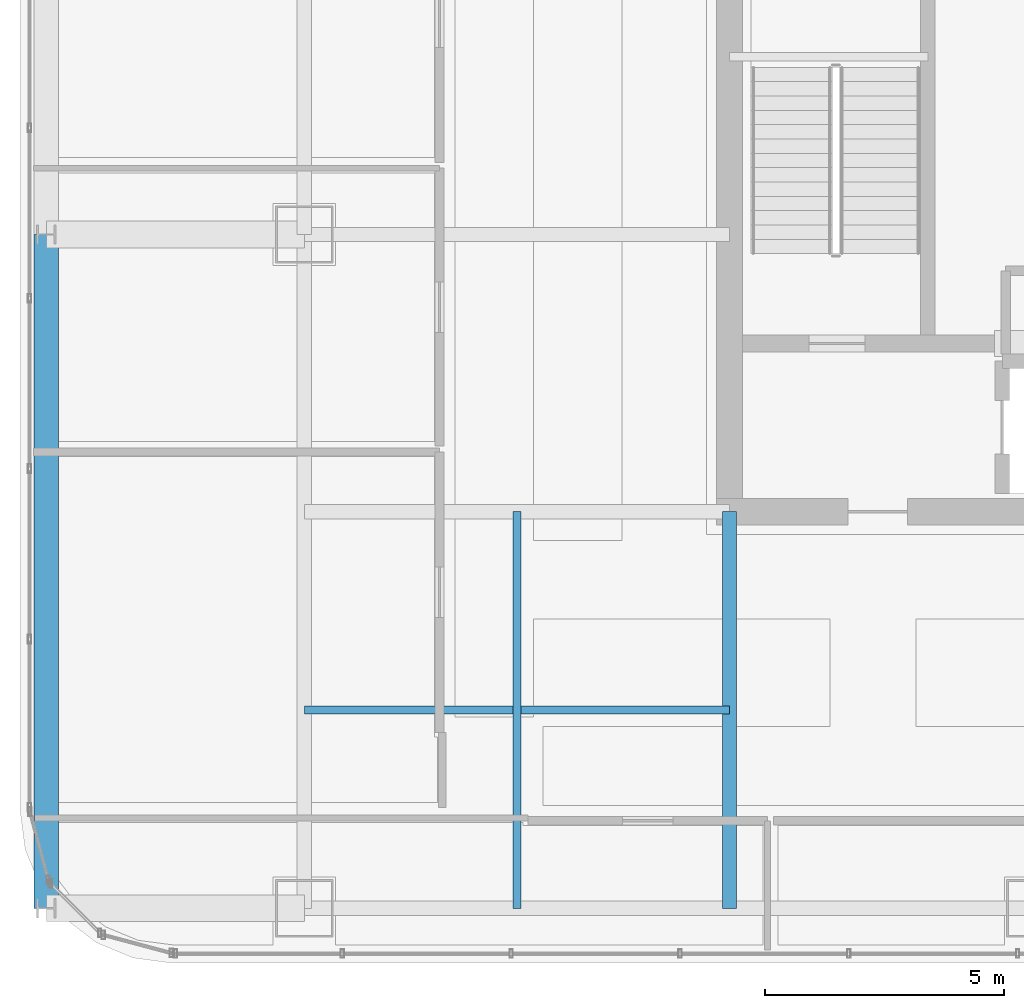
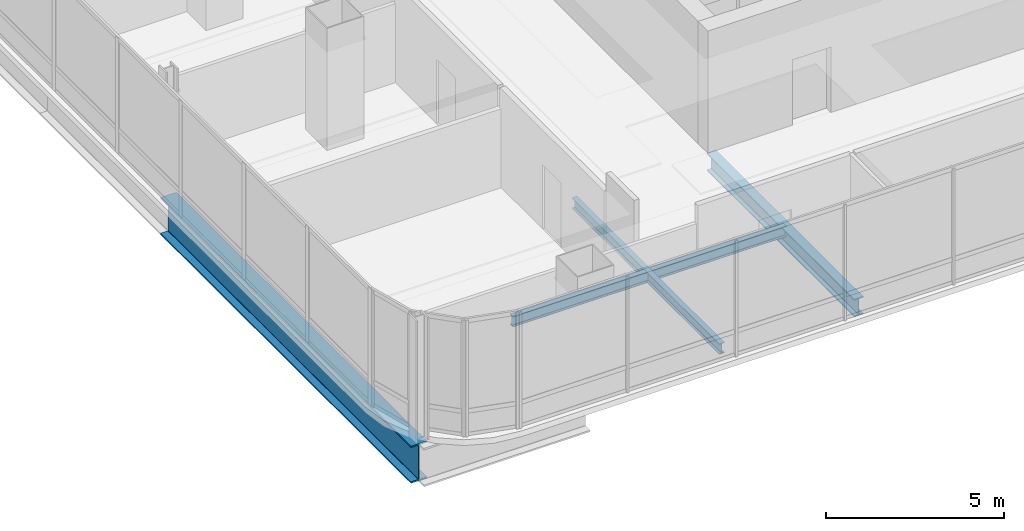
# One storey, part 4 of 42: 4 beams.
"""IFC4 building model written with IfcOpenShell, lengths in metres."""

import ifcopenshell
import ifcopenshell.guid

model = None  # the IFC model being written
_history = None  # IfcOwnerHistory: only IFC2X3 demands one
_inside = {}  # id of a spatial element -> (the spatial element, [elements in it])
_under = {}  # id of a project, library or spatial element -> (it, [spatial elements below it])
_declared = {}  # id of a project -> (the project, [libraries it declares])
_typed = {}  # id of a type object -> (the type object, [elements of that type])
_made_of = {}  # id of a material, layer set ... -> (it, [elements and type objects made of it])


def new_model(schema):
    """Start an empty IFC model of exactly this schema.

    Asked for "IFC4X3", IfcOpenShell would pick the latest addendum, in which some entities
    have other attributes; the version numbers below select the first issue.
    IFC2X3 requires an IfcOwnerHistory on every rooted entity: one is made here for all.
    """
    global model, _history
    if schema == "IFC4X3":
        model = ifcopenshell.file(schema_version=(4, 3, 0, 0))
    else:
        model = ifcopenshell.file(schema=schema)
    _inside.clear()
    _under.clear()
    _declared.clear()
    _typed.clear()
    _made_of.clear()
    _history = None
    if model.schema == "IFC2X3":
        org = make("IfcOrganization", Name="unknown")
        user = make(
            "IfcPersonAndOrganization",
            ThePerson=make("IfcPerson", FamilyName="unknown"),
            TheOrganization=org,
        )
        app = make(
            "IfcApplication",
            ApplicationDeveloper=org,
            Version="unknown",
            ApplicationFullName="unknown",
            ApplicationIdentifier="unknown",
        )
        _history = make(
            "IfcOwnerHistory",
            OwningUser=user,
            OwningApplication=app,
            ChangeAction="ADDED",
            CreationDate=0,
        )
    return model


def make(cls, **values):
    """One entity of the class cls with the attributes given. An attribute that is None is left unset."""
    return model.create_entity(
        cls, **{name: value for name, value in values.items() if value is not None}
    )


def rooted(cls, **values):
    """An entity with a GlobalId (a new one), such as an element, a storey or a relation."""
    return make(cls, GlobalId=ifcopenshell.guid.new(), OwnerHistory=_history, **values)


def si_unit(unit_type, name, prefix=None):
    """IfcSIUnit, for example si_unit("LENGTHUNIT", "METRE", prefix="MILLI")."""
    return make("IfcSIUnit", UnitType=unit_type, Prefix=prefix, Name=name)


def assignment(units):
    """IfcUnitAssignment: the units of a project."""
    return None if units is None else make("IfcUnitAssignment", Units=units)


def point(xyz):
    """IfcCartesianPoint."""
    return None if xyz is None else make("IfcCartesianPoint", Coordinates=xyz)


def direction(xyz):
    """IfcDirection."""
    return None if xyz is None else make("IfcDirection", DirectionRatios=xyz)


def frame(location, z_axis=None, x_axis=None):
    """IfcAxis2Placement3D, a coordinate frame: its origin and axes. An axis left out is left unset."""
    return make(
        "IfcAxis2Placement3D",
        Location=point(location),
        Axis=direction(z_axis),
        RefDirection=direction(x_axis),
    )


def frame_2d(location, x_axis=None):
    """IfcAxis2Placement2D, a coordinate frame in the plane: its origin and x axis."""
    return make(
        "IfcAxis2Placement2D", Location=point(location), RefDirection=direction(x_axis)
    )


def origin():
    """The frame at (0, 0, 0) with its axes left unset."""
    return frame((0.0, 0.0, 0.0))


def origin_2d():
    """The frame at (0, 0) in the plane with its x axis left unset."""
    return frame_2d((0.0, 0.0))


def place(relative_to, where):
    """IfcLocalPlacement: puts the frame where relative to a parent placement (None: the world)."""
    return make(
        "IfcLocalPlacement", PlacementRelTo=relative_to, RelativePlacement=where
    )


def context(
    kind, dimensions, precision=None, world=None, true_north=None, identifier=None
):
    """IfcGeometricRepresentationContext, for example the 3D "Model" context."""
    return make(
        "IfcGeometricRepresentationContext",
        ContextIdentifier=identifier,
        ContextType=kind,
        CoordinateSpaceDimension=dimensions,
        Precision=precision,
        WorldCoordinateSystem=world,
        TrueNorth=true_north,
    )


def subcontext(parent, identifier, kind, view, scale=None):
    """IfcGeometricRepresentationSubContext, for example "Body" below "Model"."""
    return make(
        "IfcGeometricRepresentationSubContext",
        ContextIdentifier=identifier,
        ContextType=kind,
        ParentContext=parent,
        TargetScale=scale,
        TargetView=view,
    )


def project(units=None, contexts=None):
    """IfcProject with its units and contexts."""
    return rooted(
        "IfcProject",
        Name="project",
        RepresentationContexts=contexts,
        UnitsInContext=assignment(units),
    )


def spatial(cls, under=None, at=None, **own):
    """A site, building, storey or space (cls), placed at a placement, below another one or the project."""
    s = rooted(cls, ObjectPlacement=at, **own)
    if under is not None:
        _under.setdefault(under.id(), (under, []))[1].append(s)
    return s


def profile(cls, at=None, kind="AREA", **sizes):
    """A parametric profile (cls). Its sizes go by their IFC names, for example OverallWidth=200.0."""
    return make(cls, ProfileType=kind, Position=at, **sizes)


def i_section(**sizes):
    """IfcIShapeProfileDef."""
    return profile("IfcIShapeProfileDef", **sizes)


def extrude(swept, where, along, depth):
    """IfcExtrudedAreaSolid: the profile swept, set in the frame where, extruded along a direction by depth."""
    return make(
        "IfcExtrudedAreaSolid",
        SweptArea=swept,
        Position=where,
        ExtrudedDirection=direction(along),
        Depth=depth,
    )


def shape(context_of_items, identifier, shape_type, items):
    """IfcShapeRepresentation: the items that make up one representation, for example the "Body"."""
    return make(
        "IfcShapeRepresentation",
        ContextOfItems=context_of_items,
        RepresentationIdentifier=identifier,
        RepresentationType=shape_type,
        Items=items,
    )


def material(Name=None, Category=None):
    """IfcMaterial."""
    return make("IfcMaterial", Name=Name, Category=Category)


def material_profile(
    of_material, cross_section, Name=None, Category=None, Priority=None
):
    """IfcMaterialProfile: a cross section and its material."""
    return make(
        "IfcMaterialProfile",
        Name=Name,
        Material=of_material,
        Profile=cross_section,
        Priority=Priority,
        Category=Category,
    )


def profile_set(profiles, Name=None, composite=None):
    """IfcMaterialProfileSet."""
    return make(
        "IfcMaterialProfileSet",
        Name=Name,
        MaterialProfiles=profiles,
        CompositeProfile=composite,
    )


def made_of(thing, what):
    """Note that an element or type object is made of a material, layer set ...; save() writes the relation."""
    if what is not None:
        _made_of.setdefault(what.id(), (what, []))[1].append(thing)
    return thing


def type_object(cls, material=None, **own):
    """A type object (cls), such as IfcWallType, which elements share."""
    return made_of(rooted(cls, **own), material)


def element(
    cls,
    number,
    at=None,
    inside=None,
    cuts=None,
    type_object=None,
    material=None,
    context=None,
    identifier="Body",
    shape_type=None,
    held_by="IfcProductDefinitionShape",
    body=None,
    shapes=None,
    **own,
):
    """One element of the class cls, such as IfcWall. Its Tag is "e" and its number.

    at: its placement. inside: the storey or other place that contains it. cuts: it is an
    opening in that element (IfcRelVoidsElement). A single representation is given by context,
    identifier, shape_type and body (its items); several are given by shapes. held_by: the class
    of the entity that holds the representations. save() writes the other relations.
    """
    e = rooted(cls, Tag="e%d" % number, ObjectPlacement=at, **own)
    if body is not None:
        shapes = [shape(context, identifier, shape_type, body)]
    if shapes is not None:
        e.Representation = make(held_by, Representations=shapes)
    if inside is not None:
        _inside.setdefault(inside.id(), (inside, []))[1].append(e)
    if cuts is not None:
        rooted(
            "IfcRelVoidsElement", RelatingBuildingElement=cuts, RelatedOpeningElement=e
        )
    if type_object is not None:
        _typed.setdefault(type_object.id(), (type_object, []))[1].append(e)
    return made_of(e, material)


def aggregate(whole, parts):
    """IfcRelAggregates: a whole, such as a stair, and the parts it consists of."""
    return rooted("IfcRelAggregates", RelatingObject=whole, RelatedObjects=parts)


def save(model, path):
    """Write the relations noted so far, then the file.

    IfcRelAggregates (storeys below a building ...), IfcRelContainedInSpatialStructure (elements
    in a storey), IfcRelDefinesByType, IfcRelAssociatesMaterial and IfcRelDeclares: one each for
    every whole, place, type object, material and project.
    """
    for whole, parts in _under.values():
        aggregate(whole, parts)
    for where, things in _inside.values():
        rooted(
            "IfcRelContainedInSpatialStructure",
            RelatedElements=things,
            RelatingStructure=where,
        )
    for kind, things in _typed.values():
        rooted("IfcRelDefinesByType", RelatedObjects=things, RelatingType=kind)
    for what, things in _made_of.values():
        rooted("IfcRelAssociatesMaterial", RelatedObjects=things, RelatingMaterial=what)
    for by, libraries in _declared.values():
        rooted("IfcRelDeclares", RelatingContext=by, RelatedDefinitions=libraries)
    model.write(path)


model = new_model("IFC4")

# Units and contexts
model_context = context("Model", 3, precision=1e-05, world=origin(), true_north=direction((0.0, 1.0)))
body_context = subcontext(model_context, "Body", "Model", "MODEL_VIEW")
ifc_project = project(units=[si_unit("LENGTHUNIT", "METRE"), si_unit("AREAUNIT", "SQUARE_METRE"), si_unit("VOLUMEUNIT", "CUBIC_METRE"), si_unit("PLANEANGLEUNIT", "RADIAN"), si_unit("MASSUNIT", "GRAM", prefix="KILO")], contexts=[model_context])

# Site, building, storey
site_placement = place(None, origin())
site = spatial("IfcSite", under=ifc_project, at=site_placement, CompositionType="ELEMENT")
building_placement = place(site_placement, origin())
building = spatial("IfcBuilding", under=site, at=building_placement, Name="Punatoya Terracotta Tower", CompositionType="ELEMENT")
storey_placement = place(building_placement, frame((0.0, 0.0, 296.39990234375)))
storey = spatial("IfcBuildingStorey", under=building, at=storey_placement, Name="L70", CompositionType="ELEMENT", Elevation=296.39990234375)

# Beams
ifc_material_1 = material(Name="Steel S355", Category="steel")
ifc_material_profile_1 = material_profile(ifc_material_1, i_section(OverallWidth=0.300048828125, OverallDepth=0.60009765625, WebThickness=0.015380859375, FlangeThickness=0.030029296875, FilletRadius=0.01806640625, at=origin_2d()))
ifc_profile_set_1 = profile_set([ifc_material_profile_1], Name="Steel S355")
beam_type_1 = type_object("IfcBeamType", Name="BM-PRI-600", PredefinedType="BEAM", material=ifc_profile_set_1)
beam_1_placement = place(storey_placement, frame((-10.199951171875, -17.5, -0.5), z_axis=(0.0, 1.0, 0.0), x_axis=(-1.0, 0.0, 0.0)))
element("IfcBeam", 1, at=beam_1_placement, inside=storey, type_object=beam_type_1, Name="BM-L70-PR-S1", PredefinedType="BEAM", context=body_context, shape_type="SweptSolid", body=[
    extrude(i_section(OverallWidth=0.300048828125, OverallDepth=0.60009765625, WebThickness=0.015380859375, FlangeThickness=0.030029296875, FilletRadius=0.01806640625, at=origin_2d()), origin(), (0.0, 0.0, 1.0), 8.300048828125),
])
ifc_material_profile_2 = material_profile(ifc_material_1, i_section(OverallWidth=0.169921875, OverallDepth=0.360107421875, WebThickness=0.008056640625, FlangeThickness=0.0126953125, FilletRadius=0.01806640625, at=origin_2d()))
ifc_profile_set_2 = profile_set([ifc_material_profile_2], Name="Steel S355")
beam_type_2 = type_object("IfcBeamType", Name="BM-SEC-360", PredefinedType="JOIST", material=ifc_profile_set_2)
beam_2_placement = place(storey_placement, frame((-19.10009765625, -13.35009765625, -0.3798828125), z_axis=(1.0, 0.0, 0.0), x_axis=(0.0, 1.0, 0.0)))
element("IfcBeam", 2, at=beam_2_placement, inside=storey, type_object=beam_type_2, Name="BM-L70-SJS-1", PredefinedType="JOIST", context=body_context, shape_type="SweptSolid", body=[
    extrude(i_section(OverallWidth=0.169921875, OverallDepth=0.360107421875, WebThickness=0.008056640625, FlangeThickness=0.0126953125, FilletRadius=0.01806640625, at=origin_2d()), origin(), (0.0, 0.0, 1.0), 8.900146484375),
])
beam_3_placement = place(storey_placement, frame((-14.64990234375, -17.5, -0.3798828125), z_axis=(0.0, 1.0, 0.0), x_axis=(-1.0, 0.0, 0.0)))
element("IfcBeam", 3, at=beam_3_placement, inside=storey, type_object=beam_type_2, Name="BM-L70-SJW-1", PredefinedType="JOIST", context=body_context, shape_type="SweptSolid", body=[
    extrude(i_section(OverallWidth=0.169921875, OverallDepth=0.360107421875, WebThickness=0.008056640625, FlangeThickness=0.0126953125, FilletRadius=0.01806640625, at=origin_2d()), origin(), (0.0, 0.0, 1.0), 8.300048828125),
])
ifc_material_2 = material(Name="Steel S460", Category="steel")
ifc_material_profile_3 = material_profile(ifc_material_2, i_section(OverallWidth=0.52001953125, OverallDepth=1.280029296875, WebThickness=0.031982421875, FlangeThickness=0.050048828125, FilletRadius=0.01806640625, at=origin_2d()))
ifc_profile_set_3 = profile_set([ifc_material_profile_3], Name="Steel S460")
beam_type_3 = type_object("IfcBeamType", Name="BM-TG-NCK", PredefinedType="BEAM", material=ifc_profile_set_3)
beam_4_placement = place(storey_placement, frame((-24.5, -17.5, -0.83984375), z_axis=(0.0, 1.0, 0.0), x_axis=(-1.0, 0.0, 0.0)))
element("IfcBeam", 4, at=beam_4_placement, inside=storey, type_object=beam_type_3, Name="BM-L70-PER-W1", PredefinedType="BEAM", context=body_context, shape_type="SweptSolid", body=[
    extrude(i_section(OverallWidth=0.52001953125, OverallDepth=1.280029296875, WebThickness=0.031982421875, FlangeThickness=0.050048828125, FilletRadius=0.01806640625, at=origin_2d()), origin(), (0.0, 0.0, 1.0), 14.10009765625),
])

save(model, "model.ifc")
